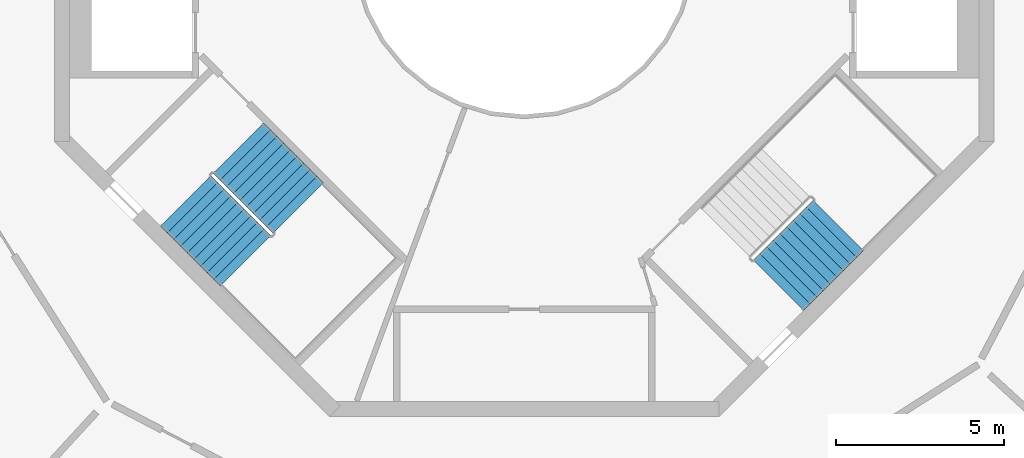
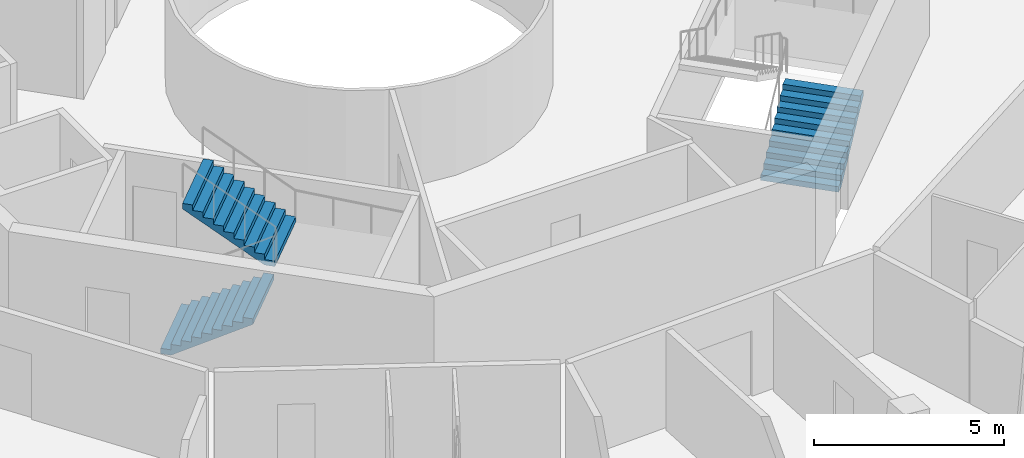
# One storey, part 21 of 23: 3 stair flights, 2 elements without a shape of their own.
"""IFC4 building model written with IfcOpenShell, lengths in metres."""

import ifcopenshell
import ifcopenshell.guid

model = None  # the IFC model being written
_history = None  # IfcOwnerHistory: only IFC2X3 demands one
_inside = {}  # id of a spatial element -> (the spatial element, [elements in it])
_under = {}  # id of a project, library or spatial element -> (it, [spatial elements below it])
_declared = {}  # id of a project -> (the project, [libraries it declares])
_typed = {}  # id of a type object -> (the type object, [elements of that type])
_made_of = {}  # id of a material, layer set ... -> (it, [elements and type objects made of it])


def new_model(schema):
    """Start an empty IFC model of exactly this schema.

    Asked for "IFC4X3", IfcOpenShell would pick the latest addendum, in which some entities
    have other attributes; the version numbers below select the first issue.
    IFC2X3 requires an IfcOwnerHistory on every rooted entity: one is made here for all.
    """
    global model, _history
    if schema == "IFC4X3":
        model = ifcopenshell.file(schema_version=(4, 3, 0, 0))
    else:
        model = ifcopenshell.file(schema=schema)
    _inside.clear()
    _under.clear()
    _declared.clear()
    _typed.clear()
    _made_of.clear()
    _history = None
    if model.schema == "IFC2X3":
        org = make("IfcOrganization", Name="unknown")
        user = make(
            "IfcPersonAndOrganization",
            ThePerson=make("IfcPerson", FamilyName="unknown"),
            TheOrganization=org,
        )
        app = make(
            "IfcApplication",
            ApplicationDeveloper=org,
            Version="unknown",
            ApplicationFullName="unknown",
            ApplicationIdentifier="unknown",
        )
        _history = make(
            "IfcOwnerHistory",
            OwningUser=user,
            OwningApplication=app,
            ChangeAction="ADDED",
            CreationDate=0,
        )
    return model


def make(cls, **values):
    """One entity of the class cls with the attributes given. An attribute that is None is left unset."""
    return model.create_entity(
        cls, **{name: value for name, value in values.items() if value is not None}
    )


def rooted(cls, **values):
    """An entity with a GlobalId (a new one), such as an element, a storey or a relation."""
    return make(cls, GlobalId=ifcopenshell.guid.new(), OwnerHistory=_history, **values)


def si_unit(unit_type, name, prefix=None):
    """IfcSIUnit, for example si_unit("LENGTHUNIT", "METRE", prefix="MILLI")."""
    return make("IfcSIUnit", UnitType=unit_type, Prefix=prefix, Name=name)


def assignment(units):
    """IfcUnitAssignment: the units of a project."""
    return None if units is None else make("IfcUnitAssignment", Units=units)


def point(xyz):
    """IfcCartesianPoint."""
    return None if xyz is None else make("IfcCartesianPoint", Coordinates=xyz)


def direction(xyz):
    """IfcDirection."""
    return None if xyz is None else make("IfcDirection", DirectionRatios=xyz)


def frame(location, z_axis=None, x_axis=None):
    """IfcAxis2Placement3D, a coordinate frame: its origin and axes. An axis left out is left unset."""
    return make(
        "IfcAxis2Placement3D",
        Location=point(location),
        Axis=direction(z_axis),
        RefDirection=direction(x_axis),
    )


def origin():
    """The frame at (0, 0, 0) with its axes left unset."""
    return frame((0.0, 0.0, 0.0))


def place(relative_to, where):
    """IfcLocalPlacement: puts the frame where relative to a parent placement (None: the world)."""
    return make(
        "IfcLocalPlacement", PlacementRelTo=relative_to, RelativePlacement=where
    )


def context(
    kind, dimensions, precision=None, world=None, true_north=None, identifier=None
):
    """IfcGeometricRepresentationContext, for example the 3D "Model" context."""
    return make(
        "IfcGeometricRepresentationContext",
        ContextIdentifier=identifier,
        ContextType=kind,
        CoordinateSpaceDimension=dimensions,
        Precision=precision,
        WorldCoordinateSystem=world,
        TrueNorth=true_north,
    )


def subcontext(parent, identifier, kind, view, scale=None):
    """IfcGeometricRepresentationSubContext, for example "Body" below "Model"."""
    return make(
        "IfcGeometricRepresentationSubContext",
        ContextIdentifier=identifier,
        ContextType=kind,
        ParentContext=parent,
        TargetScale=scale,
        TargetView=view,
    )


def project(units=None, contexts=None):
    """IfcProject with its units and contexts."""
    return rooted(
        "IfcProject",
        Name="project",
        RepresentationContexts=contexts,
        UnitsInContext=assignment(units),
    )


def spatial(cls, under=None, at=None, **own):
    """A site, building, storey or space (cls), placed at a placement, below another one or the project."""
    s = rooted(cls, ObjectPlacement=at, **own)
    if under is not None:
        _under.setdefault(under.id(), (under, []))[1].append(s)
    return s


def point_list(points):
    """IfcCartesianPointList2D or 3D."""
    cls = (
        "IfcCartesianPointList2D" if len(points[0]) == 2 else "IfcCartesianPointList3D"
    )
    return make(cls, CoordList=points)


def triangles(points, corners, closed=None, point_numbers=None):
    """IfcTriangulatedFaceSet: each triangle names its three corners, points numbered from 1."""
    return make(
        "IfcTriangulatedFaceSet",
        Coordinates=point_list(points),
        Closed=closed,
        CoordIndex=corners,
        PnIndex=point_numbers,
    )


def shape(context_of_items, identifier, shape_type, items):
    """IfcShapeRepresentation: the items that make up one representation, for example the "Body"."""
    return make(
        "IfcShapeRepresentation",
        ContextOfItems=context_of_items,
        RepresentationIdentifier=identifier,
        RepresentationType=shape_type,
        Items=items,
    )


def material(Name=None, Category=None):
    """IfcMaterial."""
    return make("IfcMaterial", Name=Name, Category=Category)


def made_of(thing, what):
    """Note that an element or type object is made of a material, layer set ...; save() writes the relation."""
    if what is not None:
        _made_of.setdefault(what.id(), (what, []))[1].append(thing)
    return thing


def type_object(cls, material=None, **own):
    """A type object (cls), such as IfcWallType, which elements share."""
    return made_of(rooted(cls, **own), material)


def element(
    cls,
    number,
    at=None,
    inside=None,
    cuts=None,
    type_object=None,
    material=None,
    context=None,
    identifier="Body",
    shape_type=None,
    held_by="IfcProductDefinitionShape",
    body=None,
    shapes=None,
    **own,
):
    """One element of the class cls, such as IfcWall. Its Tag is "e" and its number.

    at: its placement. inside: the storey or other place that contains it. cuts: it is an
    opening in that element (IfcRelVoidsElement). A single representation is given by context,
    identifier, shape_type and body (its items); several are given by shapes. held_by: the class
    of the entity that holds the representations. save() writes the other relations.
    """
    e = rooted(cls, Tag="e%d" % number, ObjectPlacement=at, **own)
    if body is not None:
        shapes = [shape(context, identifier, shape_type, body)]
    if shapes is not None:
        e.Representation = make(held_by, Representations=shapes)
    if inside is not None:
        _inside.setdefault(inside.id(), (inside, []))[1].append(e)
    if cuts is not None:
        rooted(
            "IfcRelVoidsElement", RelatingBuildingElement=cuts, RelatedOpeningElement=e
        )
    if type_object is not None:
        _typed.setdefault(type_object.id(), (type_object, []))[1].append(e)
    return made_of(e, material)


def aggregate(whole, parts):
    """IfcRelAggregates: a whole, such as a stair, and the parts it consists of."""
    return rooted("IfcRelAggregates", RelatingObject=whole, RelatedObjects=parts)


def save(model, path):
    """Write the relations noted so far, then the file.

    IfcRelAggregates (storeys below a building ...), IfcRelContainedInSpatialStructure (elements
    in a storey), IfcRelDefinesByType, IfcRelAssociatesMaterial and IfcRelDeclares: one each for
    every whole, place, type object, material and project.
    """
    for whole, parts in _under.values():
        aggregate(whole, parts)
    for where, things in _inside.values():
        rooted(
            "IfcRelContainedInSpatialStructure",
            RelatedElements=things,
            RelatingStructure=where,
        )
    for kind, things in _typed.values():
        rooted("IfcRelDefinesByType", RelatedObjects=things, RelatingType=kind)
    for what, things in _made_of.values():
        rooted("IfcRelAssociatesMaterial", RelatedObjects=things, RelatingMaterial=what)
    for by, libraries in _declared.values():
        rooted("IfcRelDeclares", RelatingContext=by, RelatedDefinitions=libraries)
    model.write(path)


model = new_model("IFC4")

# Units and contexts
model_context = context("Model", 3, precision=1e-05, world=origin(), true_north=direction((0.0, 1.0)))
body_context = subcontext(model_context, "Body", "Model", "MODEL_VIEW")
ifc_project = project(units=[si_unit("LENGTHUNIT", "METRE"), si_unit("AREAUNIT", "SQUARE_METRE"), si_unit("VOLUMEUNIT", "CUBIC_METRE"), si_unit("PLANEANGLEUNIT", "RADIAN"), si_unit("MASSUNIT", "GRAM", prefix="KILO")], contexts=[model_context])

# Site, building, storey
site_placement = place(None, origin())
site = spatial("IfcSite", under=ifc_project, at=site_placement, CompositionType="ELEMENT")
building_placement = place(site_placement, origin())
building = spatial("IfcBuilding", under=site, at=building_placement, Name="Verdalira Terraces Hotel", CompositionType="ELEMENT")
storey_placement = place(building_placement, frame((0.0, 0.0, 288.0)))
storey = spatial("IfcBuildingStorey", under=building, at=storey_placement, Name="L71", CompositionType="ELEMENT", Elevation=288.0)

# Stair, stair flights
ifc_material_1 = material(Name="Concrete C40", Category="concrete")
stair_type = type_object("IfcStairType", Name="Core stair 20 risers 2125 mm wide", PredefinedType="HALF_TURN_STAIR", material=ifc_material_1)
stair_1_placement = place(storey_placement, origin())
stair_1 = element("IfcStair", 1, at=stair_1_placement, inside=storey, type_object=stair_type, Name="L71 Exit stair ST2", PredefinedType="HALF_TURN_STAIR")
ifc_material_2 = material(Name="Concrete C40", Category="concrete")
stair_flight_type = type_object("IfcStairFlightType", Name="Core stair flight 20 risers 2125 mm wide", PredefinedType="STRAIGHT", material=ifc_material_2)
stair_flight_1_placement = place(storey_placement, frame((-10.085205, -7.574951, 0.0), z_axis=(0.0, 0.0, 1.0), x_axis=(0.707106781, -0.707106781, 0.0)))
stair_flight_1 = element("IfcStairFlight", 2, at=stair_flight_1_placement, type_object=stair_flight_type, Name="ST2 flight 1", NumberOfRisers=10, NumberOfTreads=9, PredefinedType="STRAIGHT", RiserHeight=0.175, TreadLength=0.28, context=body_context, shape_type="Tessellation", body=[
    triangles([(0.0, 1.0625, 0.0), (0.282715, 1.0625, 0.0), (2.52002, 1.0625, 1.398193), (0.0, -1.0625, 0.0), (0.282715, -1.0625, 0.0), (2.52002, -1.0625, 1.398193), (2.52002, 1.0625, 1.574951), (2.23999, 1.0625, 1.574951), (2.52002, -1.0625, 1.574951), (2.23999, -1.0625, 1.574951), (2.23999, 1.0625, 1.399902), (2.23999, -1.0625, 1.399902), (1.959961, 1.0625, 1.399902), (1.959961, -1.0625, 1.399902), (1.959961, 1.0625, 1.225098), (1.959961, -1.0625, 1.225098), (1.679932, 1.0625, 1.225098), (1.679932, 1.0625, 1.050049), (1.679932, -1.0625, 1.225098), (1.679932, -1.0625, 1.050049), (1.399902, 1.0625, 1.050049), (1.399902, 1.0625, 0.875), (1.399902, -1.0625, 1.050049), (1.399902, -1.0625, 0.875), (1.120117, 1.0625, 0.875), (1.120117, 1.0625, 0.699951), (1.120117, -1.0625, 0.875), (1.120117, -1.0625, 0.699951), (0.840088, 1.0625, 0.699951), (0.840088, 1.0625, 0.524902), (0.840088, -1.0625, 0.699951), (0.840088, -1.0625, 0.524902), (0.560059, 1.0625, 0.524902), (0.560059, 1.0625, 0.350098), (0.560059, -1.0625, 0.524902), (0.560059, -1.0625, 0.350098), (0.280029, 1.0625, 0.350098), (0.280029, 1.0625, 0.175049), (0.280029, -1.0625, 0.350098), (0.280029, -1.0625, 0.175049), (0.0, 1.0625, 0.175049), (0.0, -1.0625, 0.175049), (0.0, -0.996094, 0.0), (0.0, -0.996094, 0.175049), (0.0, -0.929688, 0.0), (0.0, -0.929688, 0.175049), (0.0, -0.863281, 0.0), (0.0, -0.863281, 0.175049), (0.0, -0.796875, 0.0), (0.0, -0.796875, 0.175049), (0.0, -0.730469, 0.0), (0.0, -0.730469, 0.175049), (0.0, -0.664062, 0.0), (0.0, -0.664062, 0.175049), (0.0, -0.597656, 0.0), (0.0, -0.597656, 0.175049), (0.0, -0.53125, 0.0), (0.0, -0.53125, 0.175049), (0.0, -0.464844, 0.0), (0.0, -0.464844, 0.175049), (0.0, -0.398438, 0.0), (0.0, -0.398438, 0.175049), (0.0, -0.332031, 0.0), (0.0, -0.332031, 0.175049), (0.0, -0.265625, 0.0), (0.0, -0.265625, 0.175049), (0.0, -0.199219, 0.0), (0.0, -0.199219, 0.175049), (0.0, -0.132812, 0.0), (0.0, -0.132812, 0.175049), (0.0, -0.066406, 0.0), (0.0, -0.066406, 0.175049), (0.0, 0.0, 0.0), (0.0, 0.0, 0.175049), (0.0, 0.066406, 0.0), (0.0, 0.066406, 0.175049), (0.0, 0.132812, 0.0), (0.0, 0.132812, 0.175049), (0.0, 0.199219, 0.0), (0.0, 0.199219, 0.175049), (0.0, 0.265625, 0.0), (0.0, 0.265625, 0.175049), (0.0, 0.332031, 0.0), (0.0, 0.332031, 0.175049), (0.0, 0.398438, 0.0), (0.0, 0.398438, 0.175049), (0.0, 0.464844, 0.0), (0.0, 0.464844, 0.175049), (0.0, 0.53125, 0.0), (0.0, 0.53125, 0.175049), (0.0, 0.597656, 0.0), (0.0, 0.597656, 0.175049), (0.0, 0.664062, 0.0), (0.0, 0.664062, 0.175049), (0.0, 0.730469, 0.0), (0.0, 0.730469, 0.175049), (0.0, 0.796875, 0.0), (0.0, 0.796875, 0.175049), (0.0, 0.863281, 0.0), (0.0, 0.863281, 0.175049), (0.0, 0.929688, 0.0), (0.0, 0.929688, 0.175049), (0.0, 0.996094, 0.0), (0.0, 0.996094, 0.175049), (2.52002, -0.996094, 1.574951), (2.52002, -0.929688, 1.574951), (2.52002, -0.863281, 1.574951), (2.52002, -0.796875, 1.574951), (2.52002, -0.730469, 1.574951), (2.52002, -0.664062, 1.574951), (2.52002, -0.597656, 1.574951), (2.52002, -0.53125, 1.574951), (2.52002, -0.464844, 1.574951), (2.52002, -0.398438, 1.574951), (2.52002, -0.332031, 1.574951), (2.52002, -0.265625, 1.574951), (2.52002, -0.199219, 1.574951), (2.52002, -0.132812, 1.574951), (2.52002, -0.066406, 1.574951), (2.52002, 0.0, 1.574951), (2.52002, 0.066406, 1.574951), (2.52002, 0.132812, 1.574951), (2.52002, 0.199219, 1.574951), (2.52002, 0.265625, 1.574951), (2.52002, 0.332031, 1.574951), (2.52002, 0.398438, 1.574951), (2.52002, 0.464844, 1.574951), (2.52002, 0.53125, 1.574951), (2.52002, 0.597656, 1.574951), (2.52002, 0.664062, 1.574951), (2.52002, 0.730469, 1.574951), (2.52002, 0.796875, 1.574951), (2.52002, 0.863281, 1.574951), (2.52002, 0.929688, 1.574951), (2.52002, 0.996094, 1.574951), (2.52002, -0.996094, 1.398193), (2.52002, -0.929688, 1.398193), (2.52002, -0.863281, 1.398193), (2.52002, -0.796875, 1.398193), (2.52002, -0.730469, 1.398193), (2.52002, -0.664062, 1.398193), (2.52002, -0.597656, 1.398193), (2.52002, -0.53125, 1.398193), (2.52002, -0.464844, 1.398193), (2.52002, -0.398438, 1.398193), (2.52002, -0.332031, 1.398193), (2.52002, -0.265625, 1.398193), (2.52002, -0.199219, 1.398193), (2.52002, -0.132812, 1.398193), (2.52002, -0.066406, 1.398193), (2.52002, 0.0, 1.398193), (2.52002, 0.066406, 1.398193), (2.52002, 0.132812, 1.398193), (2.52002, 0.199219, 1.398193), (2.52002, 0.265625, 1.398193), (2.52002, 0.332031, 1.398193), (2.52002, 0.398438, 1.398193), (2.52002, 0.464844, 1.398193), (2.52002, 0.53125, 1.398193), (2.52002, 0.597656, 1.398193), (2.52002, 0.664062, 1.398193), (2.52002, 0.730469, 1.398193), (2.52002, 0.796875, 1.398193), (2.52002, 0.863281, 1.398193), (2.52002, 0.929688, 1.398193), (2.52002, 0.996094, 1.398193)], [[1, 3, 2], [4, 5, 6], [3, 8, 7], [6, 9, 10], [3, 11, 8], [6, 10, 12], [3, 13, 11], [6, 12, 14], [3, 15, 13], [6, 14, 16], [15, 18, 17], [16, 19, 20], [3, 18, 15], [6, 16, 20], [18, 22, 21], [20, 23, 24], [3, 22, 18], [6, 20, 24], [22, 26, 25], [24, 27, 28], [3, 26, 22], [6, 24, 28], [26, 30, 29], [28, 31, 32], [3, 30, 26], [6, 28, 32], [1, 30, 3], [4, 6, 32], [30, 34, 33], [32, 35, 36], [34, 38, 37], [36, 39, 40], [30, 38, 34], [32, 36, 40], [1, 38, 30], [4, 32, 40], [38, 1, 41], [40, 42, 4], [4, 44, 43], [4, 42, 44], [43, 46, 45], [43, 44, 46], [45, 48, 47], [45, 46, 48], [47, 50, 49], [47, 48, 50], [49, 52, 51], [49, 50, 52], [51, 54, 53], [51, 52, 54], [53, 56, 55], [53, 54, 56], [55, 58, 57], [55, 56, 58], [57, 60, 59], [57, 58, 60], [59, 62, 61], [59, 60, 62], [61, 64, 63], [61, 62, 64], [63, 66, 65], [63, 64, 66], [65, 68, 67], [65, 66, 68], [67, 70, 69], [67, 68, 70], [69, 72, 71], [69, 70, 72], [71, 74, 73], [71, 72, 74], [73, 76, 75], [73, 74, 76], [75, 78, 77], [75, 76, 78], [77, 80, 79], [77, 78, 80], [79, 82, 81], [79, 80, 82], [81, 84, 83], [81, 82, 84], [83, 86, 85], [83, 84, 86], [85, 88, 87], [85, 86, 88], [87, 90, 89], [87, 88, 90], [89, 92, 91], [89, 90, 92], [91, 94, 93], [91, 92, 94], [93, 96, 95], [93, 94, 96], [95, 98, 97], [95, 96, 98], [97, 100, 99], [97, 98, 100], [99, 102, 101], [99, 100, 102], [101, 104, 103], [101, 102, 104], [103, 41, 1], [103, 104, 41], [42, 40, 44], [44, 40, 46], [46, 40, 48], [48, 40, 50], [50, 40, 52], [52, 40, 54], [54, 40, 56], [56, 40, 58], [58, 40, 60], [60, 40, 62], [62, 40, 64], [64, 40, 66], [66, 40, 68], [68, 40, 70], [70, 40, 72], [72, 40, 74], [74, 40, 76], [76, 40, 78], [78, 40, 80], [80, 40, 82], [82, 40, 84], [84, 40, 86], [86, 40, 88], [88, 40, 90], [90, 40, 92], [92, 40, 94], [94, 40, 96], [96, 40, 98], [98, 40, 100], [100, 40, 102], [102, 40, 104], [104, 40, 41], [41, 40, 38], [40, 37, 38], [40, 39, 37], [39, 34, 37], [39, 36, 34], [36, 33, 34], [36, 35, 33], [35, 30, 33], [35, 32, 30], [32, 29, 30], [32, 31, 29], [31, 26, 29], [31, 28, 26], [28, 25, 26], [28, 27, 25], [27, 22, 25], [27, 24, 22], [24, 21, 22], [24, 23, 21], [23, 18, 21], [23, 20, 18], [20, 17, 18], [20, 19, 17], [19, 15, 17], [19, 16, 15], [16, 13, 15], [16, 14, 13], [14, 11, 13], [14, 12, 11], [12, 8, 11], [12, 10, 8], [9, 105, 10], [105, 106, 10], [106, 107, 10], [107, 108, 10], [108, 109, 10], [109, 110, 10], [110, 111, 10], [111, 112, 10], [112, 113, 10], [113, 114, 10], [114, 115, 10], [115, 116, 10], [116, 117, 10], [117, 118, 10], [118, 119, 10], [119, 120, 10], [120, 121, 10], [121, 122, 10], [122, 123, 10], [123, 124, 10], [124, 125, 10], [125, 126, 10], [126, 127, 10], [127, 128, 10], [128, 129, 10], [129, 130, 10], [130, 131, 10], [131, 132, 10], [132, 133, 10], [133, 134, 10], [134, 135, 10], [135, 7, 10], [7, 8, 10], [9, 136, 105], [9, 6, 136], [105, 137, 106], [105, 136, 137], [106, 138, 107], [106, 137, 138], [107, 139, 108], [107, 138, 139], [108, 140, 109], [108, 139, 140], [109, 141, 110], [109, 140, 141], [110, 142, 111], [110, 141, 142], [111, 143, 112], [111, 142, 143], [112, 144, 113], [112, 143, 144], [113, 145, 114], [113, 144, 145], [114, 146, 115], [114, 145, 146], [115, 147, 116], [115, 146, 147], [116, 148, 117], [116, 147, 148], [117, 149, 118], [117, 148, 149], [118, 150, 119], [118, 149, 150], [119, 151, 120], [119, 150, 151], [120, 152, 121], [120, 151, 152], [121, 153, 122], [121, 152, 153], [122, 154, 123], [122, 153, 154], [123, 155, 124], [123, 154, 155], [124, 156, 125], [124, 155, 156], [125, 157, 126], [125, 156, 157], [126, 158, 127], [126, 157, 158], [127, 159, 128], [127, 158, 159], [128, 160, 129], [128, 159, 160], [129, 161, 130], [129, 160, 161], [130, 162, 131], [130, 161, 162], [131, 163, 132], [131, 162, 163], [132, 164, 133], [132, 163, 164], [133, 165, 134], [133, 164, 165], [134, 166, 135], [134, 165, 166], [135, 3, 7], [135, 166, 3], [6, 5, 136], [136, 5, 137], [137, 5, 138], [138, 5, 139], [139, 5, 140], [140, 5, 141], [141, 5, 142], [142, 5, 143], [143, 5, 144], [144, 5, 145], [145, 5, 146], [146, 5, 147], [147, 5, 148], [148, 5, 149], [149, 5, 150], [150, 5, 151], [151, 5, 152], [152, 5, 153], [153, 5, 154], [154, 5, 155], [155, 5, 156], [156, 5, 157], [157, 5, 158], [158, 5, 159], [159, 5, 160], [160, 5, 161], [161, 5, 162], [162, 5, 163], [163, 5, 164], [164, 5, 165], [165, 5, 166], [166, 5, 3], [3, 5, 2], [4, 43, 5], [43, 45, 5], [45, 47, 5], [47, 49, 5], [49, 51, 5], [51, 53, 5], [53, 55, 5], [55, 57, 5], [57, 59, 5], [59, 61, 5], [61, 63, 5], [63, 65, 5], [65, 67, 5], [67, 69, 5], [69, 71, 5], [71, 73, 5], [73, 75, 5], [75, 77, 5], [77, 79, 5], [79, 81, 5], [81, 83, 5], [83, 85, 5], [85, 87, 5], [87, 89, 5], [89, 91, 5], [91, 93, 5], [93, 95, 5], [95, 97, 5], [97, 99, 5], [99, 101, 5], [101, 103, 5], [103, 1, 5], [1, 2, 5]], closed=True),
])
stair_flight_2_placement = place(storey_placement, frame((-6.72998, -7.783447, 1.75), z_axis=(0.0, 0.0, 1.0), x_axis=(-0.707106781, 0.707106781, 0.0)))
stair_flight_2 = element("IfcStairFlight", 3, at=stair_flight_2_placement, type_object=stair_flight_type, Name="ST2 flight 2", NumberOfRisers=10, NumberOfTreads=9, PredefinedType="STRAIGHT", RiserHeight=0.175, TreadLength=0.28, context=body_context, shape_type="Tessellation", body=[
    triangles([(0.0, 1.0625, 0.0), (0.282715, 1.0625, 0.0), (2.52002, 1.0625, 1.398193), (0.0, -1.0625, 0.0), (0.282715, -1.0625, 0.0), (2.52002, -1.0625, 1.398193), (2.52002, 1.0625, 1.574951), (2.23999, 1.0625, 1.574951), (2.52002, -1.0625, 1.574951), (2.23999, -1.0625, 1.574951), (2.23999, 1.0625, 1.399902), (2.23999, -1.0625, 1.399902), (1.959961, 1.0625, 1.399902), (1.959961, -1.0625, 1.399902), (1.959961, 1.0625, 1.225098), (1.959961, -1.0625, 1.225098), (1.679932, 1.0625, 1.225098), (1.679932, 1.0625, 1.050049), (1.679932, -1.0625, 1.225098), (1.679932, -1.0625, 1.050049), (1.399902, 1.0625, 1.050049), (1.399902, 1.0625, 0.875), (1.399902, -1.0625, 1.050049), (1.399902, -1.0625, 0.875), (1.120117, 1.0625, 0.875), (1.120117, 1.0625, 0.699951), (1.120117, -1.0625, 0.875), (1.120117, -1.0625, 0.699951), (0.840088, 1.0625, 0.699951), (0.840088, 1.0625, 0.524902), (0.840088, -1.0625, 0.699951), (0.840088, -1.0625, 0.524902), (0.560059, 1.0625, 0.524902), (0.560059, 1.0625, 0.350098), (0.560059, -1.0625, 0.524902), (0.560059, -1.0625, 0.350098), (0.280029, 1.0625, 0.350098), (0.280029, 1.0625, 0.175049), (0.280029, -1.0625, 0.350098), (0.280029, -1.0625, 0.175049), (0.0, 1.0625, 0.175049), (0.0, -1.0625, 0.175049), (0.0, -0.996094, 0.0), (0.0, -0.996094, 0.175049), (0.0, -0.929688, 0.0), (0.0, -0.929688, 0.175049), (0.0, -0.863281, 0.0), (0.0, -0.863281, 0.175049), (0.0, -0.796875, 0.0), (0.0, -0.796875, 0.175049), (0.0, -0.730469, 0.0), (0.0, -0.730469, 0.175049), (0.0, -0.664062, 0.0), (0.0, -0.664062, 0.175049), (0.0, -0.597656, 0.0), (0.0, -0.597656, 0.175049), (0.0, -0.53125, 0.0), (0.0, -0.53125, 0.175049), (0.0, -0.464844, 0.0), (0.0, -0.464844, 0.175049), (0.0, -0.398438, 0.0), (0.0, -0.398438, 0.175049), (0.0, -0.332031, 0.0), (0.0, -0.332031, 0.175049), (0.0, -0.265625, 0.0), (0.0, -0.265625, 0.175049), (0.0, -0.199219, 0.0), (0.0, -0.199219, 0.175049), (0.0, -0.132812, 0.0), (0.0, -0.132812, 0.175049), (0.0, -0.066406, 0.0), (0.0, -0.066406, 0.175049), (0.0, 0.0, 0.0), (0.0, 0.0, 0.175049), (0.0, 0.066406, 0.0), (0.0, 0.066406, 0.175049), (0.0, 0.132812, 0.0), (0.0, 0.132812, 0.175049), (0.0, 0.199219, 0.0), (0.0, 0.199219, 0.175049), (0.0, 0.265625, 0.0), (0.0, 0.265625, 0.175049), (0.0, 0.332031, 0.0), (0.0, 0.332031, 0.175049), (0.0, 0.398438, 0.0), (0.0, 0.398438, 0.175049), (0.0, 0.464844, 0.0), (0.0, 0.464844, 0.175049), (0.0, 0.53125, 0.0), (0.0, 0.53125, 0.175049), (0.0, 0.597656, 0.0), (0.0, 0.597656, 0.175049), (0.0, 0.664062, 0.0), (0.0, 0.664062, 0.175049), (0.0, 0.730469, 0.0), (0.0, 0.730469, 0.175049), (0.0, 0.796875, 0.0), (0.0, 0.796875, 0.175049), (0.0, 0.863281, 0.0), (0.0, 0.863281, 0.175049), (0.0, 0.929688, 0.0), (0.0, 0.929688, 0.175049), (0.0, 0.996094, 0.0), (0.0, 0.996094, 0.175049), (2.52002, -0.996094, 1.574951), (2.52002, -0.929688, 1.574951), (2.52002, -0.863281, 1.574951), (2.52002, -0.796875, 1.574951), (2.52002, -0.730469, 1.574951), (2.52002, -0.664062, 1.574951), (2.52002, -0.597656, 1.574951), (2.52002, -0.53125, 1.574951), (2.52002, -0.464844, 1.574951), (2.52002, -0.398438, 1.574951), (2.52002, -0.332031, 1.574951), (2.52002, -0.265625, 1.574951), (2.52002, -0.199219, 1.574951), (2.52002, -0.132812, 1.574951), (2.52002, -0.066406, 1.574951), (2.52002, 0.0, 1.574951), (2.52002, 0.066406, 1.574951), (2.52002, 0.132812, 1.574951), (2.52002, 0.199219, 1.574951), (2.52002, 0.265625, 1.574951), (2.52002, 0.332031, 1.574951), (2.52002, 0.398438, 1.574951), (2.52002, 0.464844, 1.574951), (2.52002, 0.53125, 1.574951), (2.52002, 0.597656, 1.574951), (2.52002, 0.664062, 1.574951), (2.52002, 0.730469, 1.574951), (2.52002, 0.796875, 1.574951), (2.52002, 0.863281, 1.574951), (2.52002, 0.929688, 1.574951), (2.52002, 0.996094, 1.574951), (2.52002, -0.996094, 1.398193), (2.52002, -0.929688, 1.398193), (2.52002, -0.863281, 1.398193), (2.52002, -0.796875, 1.398193), (2.52002, -0.730469, 1.398193), (2.52002, -0.664062, 1.398193), (2.52002, -0.597656, 1.398193), (2.52002, -0.53125, 1.398193), (2.52002, -0.464844, 1.398193), (2.52002, -0.398438, 1.398193), (2.52002, -0.332031, 1.398193), (2.52002, -0.265625, 1.398193), (2.52002, -0.199219, 1.398193), (2.52002, -0.132812, 1.398193), (2.52002, -0.066406, 1.398193), (2.52002, 0.0, 1.398193), (2.52002, 0.066406, 1.398193), (2.52002, 0.132812, 1.398193), (2.52002, 0.199219, 1.398193), (2.52002, 0.265625, 1.398193), (2.52002, 0.332031, 1.398193), (2.52002, 0.398438, 1.398193), (2.52002, 0.464844, 1.398193), (2.52002, 0.53125, 1.398193), (2.52002, 0.597656, 1.398193), (2.52002, 0.664062, 1.398193), (2.52002, 0.730469, 1.398193), (2.52002, 0.796875, 1.398193), (2.52002, 0.863281, 1.398193), (2.52002, 0.929688, 1.398193), (2.52002, 0.996094, 1.398193)], [[1, 3, 2], [4, 5, 6], [3, 8, 7], [6, 9, 10], [3, 11, 8], [6, 10, 12], [3, 13, 11], [6, 12, 14], [3, 15, 13], [6, 14, 16], [15, 18, 17], [16, 19, 20], [3, 18, 15], [6, 16, 20], [18, 22, 21], [20, 23, 24], [3, 22, 18], [6, 20, 24], [22, 26, 25], [24, 27, 28], [3, 26, 22], [6, 24, 28], [26, 30, 29], [28, 31, 32], [3, 30, 26], [6, 28, 32], [1, 30, 3], [4, 6, 32], [30, 34, 33], [32, 35, 36], [34, 38, 37], [36, 39, 40], [30, 38, 34], [32, 36, 40], [1, 38, 30], [4, 32, 40], [38, 1, 41], [40, 42, 4], [4, 44, 43], [4, 42, 44], [43, 46, 45], [43, 44, 46], [45, 48, 47], [45, 46, 48], [47, 50, 49], [47, 48, 50], [49, 52, 51], [49, 50, 52], [51, 54, 53], [51, 52, 54], [53, 56, 55], [53, 54, 56], [55, 58, 57], [55, 56, 58], [57, 60, 59], [57, 58, 60], [59, 62, 61], [59, 60, 62], [61, 64, 63], [61, 62, 64], [63, 66, 65], [63, 64, 66], [65, 68, 67], [65, 66, 68], [67, 70, 69], [67, 68, 70], [69, 72, 71], [69, 70, 72], [71, 74, 73], [71, 72, 74], [73, 76, 75], [73, 74, 76], [75, 78, 77], [75, 76, 78], [77, 80, 79], [77, 78, 80], [79, 82, 81], [79, 80, 82], [81, 84, 83], [81, 82, 84], [83, 86, 85], [83, 84, 86], [85, 88, 87], [85, 86, 88], [87, 90, 89], [87, 88, 90], [89, 92, 91], [89, 90, 92], [91, 94, 93], [91, 92, 94], [93, 96, 95], [93, 94, 96], [95, 98, 97], [95, 96, 98], [97, 100, 99], [97, 98, 100], [99, 102, 101], [99, 100, 102], [101, 104, 103], [101, 102, 104], [103, 41, 1], [103, 104, 41], [42, 40, 44], [44, 40, 46], [46, 40, 48], [48, 40, 50], [50, 40, 52], [52, 40, 54], [54, 40, 56], [56, 40, 58], [58, 40, 60], [60, 40, 62], [62, 40, 64], [64, 40, 66], [66, 40, 68], [68, 40, 70], [70, 40, 72], [72, 40, 74], [74, 40, 76], [76, 40, 78], [78, 40, 80], [80, 40, 82], [82, 40, 84], [84, 40, 86], [86, 40, 88], [88, 40, 90], [90, 40, 92], [92, 40, 94], [94, 40, 96], [96, 40, 98], [98, 40, 100], [100, 40, 102], [102, 40, 104], [104, 40, 41], [41, 40, 38], [40, 37, 38], [40, 39, 37], [39, 34, 37], [39, 36, 34], [36, 33, 34], [36, 35, 33], [35, 30, 33], [35, 32, 30], [32, 29, 30], [32, 31, 29], [31, 26, 29], [31, 28, 26], [28, 25, 26], [28, 27, 25], [27, 22, 25], [27, 24, 22], [24, 21, 22], [24, 23, 21], [23, 18, 21], [23, 20, 18], [20, 17, 18], [20, 19, 17], [19, 15, 17], [19, 16, 15], [16, 13, 15], [16, 14, 13], [14, 11, 13], [14, 12, 11], [12, 8, 11], [12, 10, 8], [9, 105, 10], [105, 106, 10], [106, 107, 10], [107, 108, 10], [108, 109, 10], [109, 110, 10], [110, 111, 10], [111, 112, 10], [112, 113, 10], [113, 114, 10], [114, 115, 10], [115, 116, 10], [116, 117, 10], [117, 118, 10], [118, 119, 10], [119, 120, 10], [120, 121, 10], [121, 122, 10], [122, 123, 10], [123, 124, 10], [124, 125, 10], [125, 126, 10], [126, 127, 10], [127, 128, 10], [128, 129, 10], [129, 130, 10], [130, 131, 10], [131, 132, 10], [132, 133, 10], [133, 134, 10], [134, 135, 10], [135, 7, 10], [7, 8, 10], [9, 136, 105], [9, 6, 136], [105, 137, 106], [105, 136, 137], [106, 138, 107], [106, 137, 138], [107, 139, 108], [107, 138, 139], [108, 140, 109], [108, 139, 140], [109, 141, 110], [109, 140, 141], [110, 142, 111], [110, 141, 142], [111, 143, 112], [111, 142, 143], [112, 144, 113], [112, 143, 144], [113, 145, 114], [113, 144, 145], [114, 146, 115], [114, 145, 146], [115, 147, 116], [115, 146, 147], [116, 148, 117], [116, 147, 148], [117, 149, 118], [117, 148, 149], [118, 150, 119], [118, 149, 150], [119, 151, 120], [119, 150, 151], [120, 152, 121], [120, 151, 152], [121, 153, 122], [121, 152, 153], [122, 154, 123], [122, 153, 154], [123, 155, 124], [123, 154, 155], [124, 156, 125], [124, 155, 156], [125, 157, 126], [125, 156, 157], [126, 158, 127], [126, 157, 158], [127, 159, 128], [127, 158, 159], [128, 160, 129], [128, 159, 160], [129, 161, 130], [129, 160, 161], [130, 162, 131], [130, 161, 162], [131, 163, 132], [131, 162, 163], [132, 164, 133], [132, 163, 164], [133, 165, 134], [133, 164, 165], [134, 166, 135], [134, 165, 166], [135, 3, 7], [135, 166, 3], [6, 5, 136], [136, 5, 137], [137, 5, 138], [138, 5, 139], [139, 5, 140], [140, 5, 141], [141, 5, 142], [142, 5, 143], [143, 5, 144], [144, 5, 145], [145, 5, 146], [146, 5, 147], [147, 5, 148], [148, 5, 149], [149, 5, 150], [150, 5, 151], [151, 5, 152], [152, 5, 153], [153, 5, 154], [154, 5, 155], [155, 5, 156], [156, 5, 157], [157, 5, 158], [158, 5, 159], [159, 5, 160], [160, 5, 161], [161, 5, 162], [162, 5, 163], [163, 5, 164], [164, 5, 165], [165, 5, 166], [166, 5, 3], [3, 5, 2], [4, 43, 5], [43, 45, 5], [45, 47, 5], [47, 49, 5], [49, 51, 5], [51, 53, 5], [53, 55, 5], [55, 57, 5], [57, 59, 5], [59, 61, 5], [61, 63, 5], [63, 65, 5], [65, 67, 5], [67, 69, 5], [69, 71, 5], [71, 73, 5], [73, 75, 5], [75, 77, 5], [77, 79, 5], [79, 81, 5], [81, 83, 5], [83, 85, 5], [85, 87, 5], [87, 89, 5], [89, 91, 5], [91, 93, 5], [93, 95, 5], [95, 97, 5], [97, 99, 5], [99, 101, 5], [101, 103, 5], [103, 1, 5], [1, 2, 5]], closed=True),
])
aggregate(stair_1, [stair_flight_1, stair_flight_2])

# Stair, stair flight
stair_2_placement = place(storey_placement, origin())
stair_2 = element("IfcStair", 4, at=stair_2_placement, inside=storey, type_object=stair_type, Name="L71 Exit stair ST3", PredefinedType="HALF_TURN_STAIR")
stair_flight_3_placement = place(storey_placement, frame((7.574951, -10.085205, 0.0), z_axis=(0.0, 0.0, 1.0), x_axis=(0.707106781, 0.707106781, 0.0)))
stair_flight_3 = element("IfcStairFlight", 5, at=stair_flight_3_placement, type_object=stair_flight_type, Name="ST3 flight 1", NumberOfRisers=10, NumberOfTreads=9, PredefinedType="STRAIGHT", RiserHeight=0.175, TreadLength=0.28, context=body_context, shape_type="Tessellation", body=[
    triangles([(0.0, 1.0625, 0.0), (0.282715, 1.0625, 0.0), (2.52002, 1.0625, 1.398193), (0.0, -1.0625, 0.0), (0.282715, -1.0625, 0.0), (2.52002, -1.0625, 1.398193), (2.52002, 1.0625, 1.574951), (2.23999, 1.0625, 1.574951), (2.52002, -1.0625, 1.574951), (2.23999, -1.0625, 1.574951), (2.23999, 1.0625, 1.399902), (2.23999, -1.0625, 1.399902), (1.959961, 1.0625, 1.399902), (1.959961, -1.0625, 1.399902), (1.959961, 1.0625, 1.225098), (1.959961, -1.0625, 1.225098), (1.679932, 1.0625, 1.225098), (1.679932, 1.0625, 1.050049), (1.679932, -1.0625, 1.225098), (1.679932, -1.0625, 1.050049), (1.399902, 1.0625, 1.050049), (1.399902, 1.0625, 0.875), (1.399902, -1.0625, 1.050049), (1.399902, -1.0625, 0.875), (1.120117, 1.0625, 0.875), (1.120117, 1.0625, 0.699951), (1.120117, -1.0625, 0.875), (1.120117, -1.0625, 0.699951), (0.840088, 1.0625, 0.699951), (0.840088, 1.0625, 0.524902), (0.840088, -1.0625, 0.699951), (0.840088, -1.0625, 0.524902), (0.560059, 1.0625, 0.524902), (0.560059, 1.0625, 0.350098), (0.560059, -1.0625, 0.524902), (0.560059, -1.0625, 0.350098), (0.280029, 1.0625, 0.350098), (0.280029, 1.0625, 0.175049), (0.280029, -1.0625, 0.350098), (0.280029, -1.0625, 0.175049), (0.0, 1.0625, 0.175049), (0.0, -1.0625, 0.175049), (0.0, -0.996094, 0.0), (0.0, -0.996094, 0.175049), (0.0, -0.929688, 0.0), (0.0, -0.929688, 0.175049), (0.0, -0.863281, 0.0), (0.0, -0.863281, 0.175049), (0.0, -0.796875, 0.0), (0.0, -0.796875, 0.175049), (0.0, -0.730469, 0.0), (0.0, -0.730469, 0.175049), (0.0, -0.664062, 0.0), (0.0, -0.664062, 0.175049), (0.0, -0.597656, 0.0), (0.0, -0.597656, 0.175049), (0.0, -0.53125, 0.0), (0.0, -0.53125, 0.175049), (0.0, -0.464844, 0.0), (0.0, -0.464844, 0.175049), (0.0, -0.398438, 0.0), (0.0, -0.398438, 0.175049), (0.0, -0.332031, 0.0), (0.0, -0.332031, 0.175049), (0.0, -0.265625, 0.0), (0.0, -0.265625, 0.175049), (0.0, -0.199219, 0.0), (0.0, -0.199219, 0.175049), (0.0, -0.132812, 0.0), (0.0, -0.132812, 0.175049), (0.0, -0.066406, 0.0), (0.0, -0.066406, 0.175049), (0.0, 0.0, 0.0), (0.0, 0.0, 0.175049), (0.0, 0.066406, 0.0), (0.0, 0.066406, 0.175049), (0.0, 0.132812, 0.0), (0.0, 0.132812, 0.175049), (0.0, 0.199219, 0.0), (0.0, 0.199219, 0.175049), (0.0, 0.265625, 0.0), (0.0, 0.265625, 0.175049), (0.0, 0.332031, 0.0), (0.0, 0.332031, 0.175049), (0.0, 0.398438, 0.0), (0.0, 0.398438, 0.175049), (0.0, 0.464844, 0.0), (0.0, 0.464844, 0.175049), (0.0, 0.53125, 0.0), (0.0, 0.53125, 0.175049), (0.0, 0.597656, 0.0), (0.0, 0.597656, 0.175049), (0.0, 0.664062, 0.0), (0.0, 0.664062, 0.175049), (0.0, 0.730469, 0.0), (0.0, 0.730469, 0.175049), (0.0, 0.796875, 0.0), (0.0, 0.796875, 0.175049), (0.0, 0.863281, 0.0), (0.0, 0.863281, 0.175049), (0.0, 0.929688, 0.0), (0.0, 0.929688, 0.175049), (0.0, 0.996094, 0.0), (0.0, 0.996094, 0.175049), (2.52002, -0.996094, 1.574951), (2.52002, -0.929688, 1.574951), (2.52002, -0.863281, 1.574951), (2.52002, -0.796875, 1.574951), (2.52002, -0.730469, 1.574951), (2.52002, -0.664062, 1.574951), (2.52002, -0.597656, 1.574951), (2.52002, -0.53125, 1.574951), (2.52002, -0.464844, 1.574951), (2.52002, -0.398438, 1.574951), (2.52002, -0.332031, 1.574951), (2.52002, -0.265625, 1.574951), (2.52002, -0.199219, 1.574951), (2.52002, -0.132812, 1.574951), (2.52002, -0.066406, 1.574951), (2.52002, 0.0, 1.574951), (2.52002, 0.066406, 1.574951), (2.52002, 0.132812, 1.574951), (2.52002, 0.199219, 1.574951), (2.52002, 0.265625, 1.574951), (2.52002, 0.332031, 1.574951), (2.52002, 0.398438, 1.574951), (2.52002, 0.464844, 1.574951), (2.52002, 0.53125, 1.574951), (2.52002, 0.597656, 1.574951), (2.52002, 0.664062, 1.574951), (2.52002, 0.730469, 1.574951), (2.52002, 0.796875, 1.574951), (2.52002, 0.863281, 1.574951), (2.52002, 0.929688, 1.574951), (2.52002, 0.996094, 1.574951), (2.52002, -0.996094, 1.398193), (2.52002, -0.929688, 1.398193), (2.52002, -0.863281, 1.398193), (2.52002, -0.796875, 1.398193), (2.52002, -0.730469, 1.398193), (2.52002, -0.664062, 1.398193), (2.52002, -0.597656, 1.398193), (2.52002, -0.53125, 1.398193), (2.52002, -0.464844, 1.398193), (2.52002, -0.398438, 1.398193), (2.52002, -0.332031, 1.398193), (2.52002, -0.265625, 1.398193), (2.52002, -0.199219, 1.398193), (2.52002, -0.132812, 1.398193), (2.52002, -0.066406, 1.398193), (2.52002, 0.0, 1.398193), (2.52002, 0.066406, 1.398193), (2.52002, 0.132812, 1.398193), (2.52002, 0.199219, 1.398193), (2.52002, 0.265625, 1.398193), (2.52002, 0.332031, 1.398193), (2.52002, 0.398438, 1.398193), (2.52002, 0.464844, 1.398193), (2.52002, 0.53125, 1.398193), (2.52002, 0.597656, 1.398193), (2.52002, 0.664062, 1.398193), (2.52002, 0.730469, 1.398193), (2.52002, 0.796875, 1.398193), (2.52002, 0.863281, 1.398193), (2.52002, 0.929688, 1.398193), (2.52002, 0.996094, 1.398193)], [[1, 3, 2], [4, 5, 6], [3, 8, 7], [6, 9, 10], [3, 11, 8], [6, 10, 12], [3, 13, 11], [6, 12, 14], [3, 15, 13], [6, 14, 16], [15, 18, 17], [16, 19, 20], [3, 18, 15], [6, 16, 20], [18, 22, 21], [20, 23, 24], [3, 22, 18], [6, 20, 24], [22, 26, 25], [24, 27, 28], [3, 26, 22], [6, 24, 28], [26, 30, 29], [28, 31, 32], [3, 30, 26], [6, 28, 32], [1, 30, 3], [4, 6, 32], [30, 34, 33], [32, 35, 36], [34, 38, 37], [36, 39, 40], [30, 38, 34], [32, 36, 40], [1, 38, 30], [4, 32, 40], [38, 1, 41], [40, 42, 4], [4, 44, 43], [4, 42, 44], [43, 46, 45], [43, 44, 46], [45, 48, 47], [45, 46, 48], [47, 50, 49], [47, 48, 50], [49, 52, 51], [49, 50, 52], [51, 54, 53], [51, 52, 54], [53, 56, 55], [53, 54, 56], [55, 58, 57], [55, 56, 58], [57, 60, 59], [57, 58, 60], [59, 62, 61], [59, 60, 62], [61, 64, 63], [61, 62, 64], [63, 66, 65], [63, 64, 66], [65, 68, 67], [65, 66, 68], [67, 70, 69], [67, 68, 70], [69, 72, 71], [69, 70, 72], [71, 74, 73], [71, 72, 74], [73, 76, 75], [73, 74, 76], [75, 78, 77], [75, 76, 78], [77, 80, 79], [77, 78, 80], [79, 82, 81], [79, 80, 82], [81, 84, 83], [81, 82, 84], [83, 86, 85], [83, 84, 86], [85, 88, 87], [85, 86, 88], [87, 90, 89], [87, 88, 90], [89, 92, 91], [89, 90, 92], [91, 94, 93], [91, 92, 94], [93, 96, 95], [93, 94, 96], [95, 98, 97], [95, 96, 98], [97, 100, 99], [97, 98, 100], [99, 102, 101], [99, 100, 102], [101, 104, 103], [101, 102, 104], [103, 41, 1], [103, 104, 41], [42, 40, 44], [44, 40, 46], [46, 40, 48], [48, 40, 50], [50, 40, 52], [52, 40, 54], [54, 40, 56], [56, 40, 58], [58, 40, 60], [60, 40, 62], [62, 40, 64], [64, 40, 66], [66, 40, 68], [68, 40, 70], [70, 40, 72], [72, 40, 74], [74, 40, 76], [76, 40, 78], [78, 40, 80], [80, 40, 82], [82, 40, 84], [84, 40, 86], [86, 40, 88], [88, 40, 90], [90, 40, 92], [92, 40, 94], [94, 40, 96], [96, 40, 98], [98, 40, 100], [100, 40, 102], [102, 40, 104], [104, 40, 41], [41, 40, 38], [40, 37, 38], [40, 39, 37], [39, 34, 37], [39, 36, 34], [36, 33, 34], [36, 35, 33], [35, 30, 33], [35, 32, 30], [32, 29, 30], [32, 31, 29], [31, 26, 29], [31, 28, 26], [28, 25, 26], [28, 27, 25], [27, 22, 25], [27, 24, 22], [24, 21, 22], [24, 23, 21], [23, 18, 21], [23, 20, 18], [20, 17, 18], [20, 19, 17], [19, 15, 17], [19, 16, 15], [16, 13, 15], [16, 14, 13], [14, 11, 13], [14, 12, 11], [12, 8, 11], [12, 10, 8], [9, 105, 10], [105, 106, 10], [106, 107, 10], [107, 108, 10], [108, 109, 10], [109, 110, 10], [110, 111, 10], [111, 112, 10], [112, 113, 10], [113, 114, 10], [114, 115, 10], [115, 116, 10], [116, 117, 10], [117, 118, 10], [118, 119, 10], [119, 120, 10], [120, 121, 10], [121, 122, 10], [122, 123, 10], [123, 124, 10], [124, 125, 10], [125, 126, 10], [126, 127, 10], [127, 128, 10], [128, 129, 10], [129, 130, 10], [130, 131, 10], [131, 132, 10], [132, 133, 10], [133, 134, 10], [134, 135, 10], [135, 7, 10], [7, 8, 10], [9, 136, 105], [9, 6, 136], [105, 137, 106], [105, 136, 137], [106, 138, 107], [106, 137, 138], [107, 139, 108], [107, 138, 139], [108, 140, 109], [108, 139, 140], [109, 141, 110], [109, 140, 141], [110, 142, 111], [110, 141, 142], [111, 143, 112], [111, 142, 143], [112, 144, 113], [112, 143, 144], [113, 145, 114], [113, 144, 145], [114, 146, 115], [114, 145, 146], [115, 147, 116], [115, 146, 147], [116, 148, 117], [116, 147, 148], [117, 149, 118], [117, 148, 149], [118, 150, 119], [118, 149, 150], [119, 151, 120], [119, 150, 151], [120, 152, 121], [120, 151, 152], [121, 153, 122], [121, 152, 153], [122, 154, 123], [122, 153, 154], [123, 155, 124], [123, 154, 155], [124, 156, 125], [124, 155, 156], [125, 157, 126], [125, 156, 157], [126, 158, 127], [126, 157, 158], [127, 159, 128], [127, 158, 159], [128, 160, 129], [128, 159, 160], [129, 161, 130], [129, 160, 161], [130, 162, 131], [130, 161, 162], [131, 163, 132], [131, 162, 163], [132, 164, 133], [132, 163, 164], [133, 165, 134], [133, 164, 165], [134, 166, 135], [134, 165, 166], [135, 3, 7], [135, 166, 3], [6, 5, 136], [136, 5, 137], [137, 5, 138], [138, 5, 139], [139, 5, 140], [140, 5, 141], [141, 5, 142], [142, 5, 143], [143, 5, 144], [144, 5, 145], [145, 5, 146], [146, 5, 147], [147, 5, 148], [148, 5, 149], [149, 5, 150], [150, 5, 151], [151, 5, 152], [152, 5, 153], [153, 5, 154], [154, 5, 155], [155, 5, 156], [156, 5, 157], [157, 5, 158], [158, 5, 159], [159, 5, 160], [160, 5, 161], [161, 5, 162], [162, 5, 163], [163, 5, 164], [164, 5, 165], [165, 5, 166], [166, 5, 3], [3, 5, 2], [4, 43, 5], [43, 45, 5], [45, 47, 5], [47, 49, 5], [49, 51, 5], [51, 53, 5], [53, 55, 5], [55, 57, 5], [57, 59, 5], [59, 61, 5], [61, 63, 5], [63, 65, 5], [65, 67, 5], [67, 69, 5], [69, 71, 5], [71, 73, 5], [73, 75, 5], [75, 77, 5], [77, 79, 5], [79, 81, 5], [81, 83, 5], [83, 85, 5], [85, 87, 5], [87, 89, 5], [89, 91, 5], [91, 93, 5], [93, 95, 5], [95, 97, 5], [97, 99, 5], [99, 101, 5], [101, 103, 5], [103, 1, 5], [1, 2, 5]], closed=True),
])
aggregate(stair_2, [stair_flight_3])

save(model, "model.ifc")
